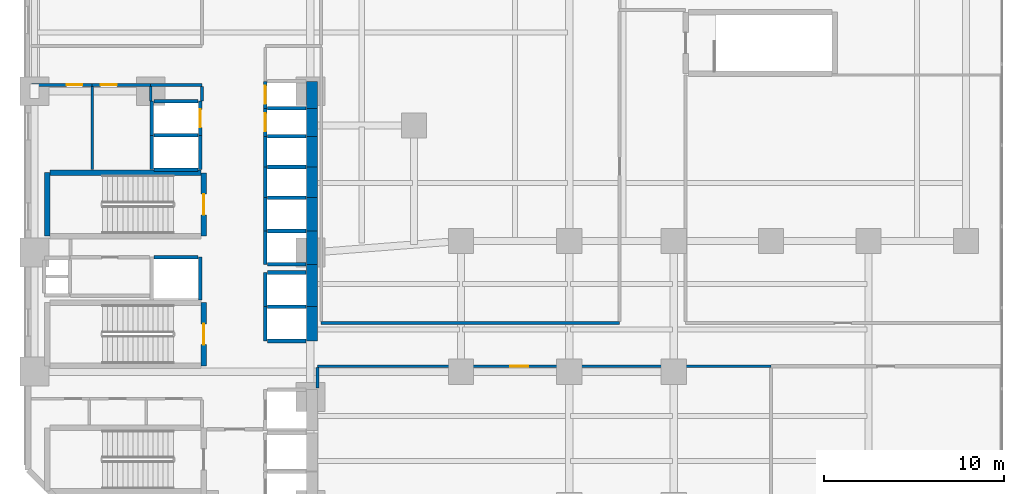
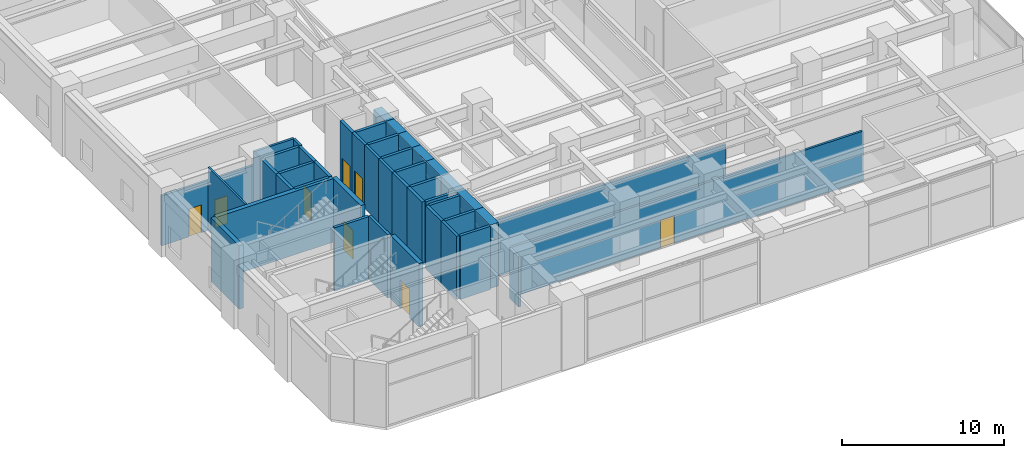
# One storey, part 23 of 29: 47 walls, 8 doors, 8 openings.
"""IFC4 building model written with IfcOpenShell, lengths in metres."""

from ifc_helpers import new_model, si_unit, direction, frame, frame_2d, origin, place, context, subcontext, project, spatial, rectangle, extrude, material, layer, layer_set, type_object, element, fill, save


model = new_model("IFC4")

# Units and contexts
model_context = context("Model", 3, precision=1e-05, world=origin(), true_north=direction((0.0, 1.0)))
body_context = subcontext(model_context, "Body", "Model", "MODEL_VIEW")
ifc_project = project(units=[si_unit("LENGTHUNIT", "METRE"), si_unit("AREAUNIT", "SQUARE_METRE"), si_unit("VOLUMEUNIT", "CUBIC_METRE"), si_unit("PLANEANGLEUNIT", "RADIAN"), si_unit("MASSUNIT", "GRAM", prefix="KILO")], contexts=[model_context])

# Site, building, storey
site_placement = place(None, origin())
site = spatial("IfcSite", under=ifc_project, at=site_placement, CompositionType="ELEMENT")
building_placement = place(site_placement, origin())
building = spatial("IfcBuilding", under=site, at=building_placement, Name="Mawjaban Terraces University", CompositionType="ELEMENT")
storey_placement = place(building_placement, frame((0.0, 0.0, 20.800048828125)))
storey = spatial("IfcBuildingStorey", under=building, at=storey_placement, Name="L04", CompositionType="ELEMENT", Elevation=20.800048828125)

# Walls
ifc_material_1 = material(Name="Concrete C70/85", Category="concrete")
ifc_layer_1 = layer(ifc_material_1, 0.60009765625)
ifc_layer_set_1 = layer_set([ifc_layer_1], Name="Concrete C70/85")
wall_type_1 = type_object("IfcWallType", Name="CoreShearWall_600", PredefinedType="SHEAR", material=ifc_layer_set_1)
wall_1_placement = place(storey_placement, frame((37.75, 9.64990234375, 0.0), z_axis=(0.0, 0.0, 1.0), x_axis=(0.0, 1.0, 0.0)))
element("IfcWall", 1, at=wall_1_placement, inside=storey, type_object=wall_type_1, Name="L04 Lift PL-H1 Hoistway Wall East", PredefinedType="SHEAR", context=body_context, shape_type="SweptSolid", body=[
    extrude(rectangle(XDim=1.900146484375, YDim=0.60009765625, at=frame_2d((0.9501953125, 0.0))), origin(), (0.0, 0.0, 1.0), 4.780029296875),
])
wall_2_placement = place(storey_placement, frame((37.75, 11.550048828125, 0.0), z_axis=(0.0, 0.0, 1.0), x_axis=(0.0, 1.0, 0.0)))
element("IfcWall", 2, at=wall_2_placement, inside=storey, type_object=wall_type_1, Name="L04 Lift PL-H2 Hoistway Wall East", PredefinedType="SHEAR", context=body_context, shape_type="SweptSolid", body=[
    extrude(rectangle(XDim=2.349853515625, YDim=0.60009765625, at=frame_2d((1.1748046875, 0.0))), origin(), (0.0, 0.0, 1.0), 4.780029296875),
])
for number, where, z_axis, x_axis, name in (
    (3, (37.75, 13.89990234375, 0.0), (0.0, 0.0, 1.0), (0.0, 1.0, 0.0), "L04 Lift OL-1 Hoistway Wall East"),
    (4, (37.75, 15.75, 0.0), (0.0, 0.0, 1.0), (0.0, 1.0, 0.0), "L04 Lift OL-2 Hoistway Wall East"),
):
    element("IfcWall", number, at=place(storey_placement, frame(where, z_axis=z_axis, x_axis=x_axis)), inside=storey, type_object=wall_type_1, Name=name, PredefinedType="SHEAR", context=body_context, shape_type="SweptSolid", body=[
        extrude(rectangle(XDim=1.85009765625, YDim=0.60009765625, at=frame_2d((0.925048828125, 0.0))), origin(), (0.0, 0.0, 1.0), 4.780029296875),
    ])
for number, where, z_axis, x_axis, name in (
    (5, (37.75, 17.60009765625, 0.0), (0.0, 0.0, 1.0), (0.0, 1.0, 0.0), "L04 Lift PL-M1 Hoistway Wall East"),
    (6, (37.75, 19.300048828125, 0.0), (0.0, 0.0, 1.0), (0.0, 1.0, 0.0), "L04 Lift PL-M2 Hoistway Wall East"),
):
    element("IfcWall", number, at=place(storey_placement, frame(where, z_axis=z_axis, x_axis=x_axis)), inside=storey, type_object=wall_type_1, Name=name, PredefinedType="SHEAR", context=body_context, shape_type="SweptSolid", body=[
        extrude(rectangle(XDim=1.699951171875, YDim=0.60009765625, at=frame_2d((0.85009765625, 0.0))), origin(), (0.0, 0.0, 1.0), 4.780029296875),
    ])
wall_3_placement = place(storey_placement, frame((37.75, 21.0, 0.0), z_axis=(0.0, 0.0, 1.0), x_axis=(0.0, 1.0, 0.0)))
element("IfcWall", 7, at=wall_3_placement, inside=storey, type_object=wall_type_1, Name="L04 Lift PL-L1 Hoistway Wall East", PredefinedType="SHEAR", context=body_context, shape_type="SweptSolid", body=[
    extrude(rectangle(XDim=1.550048828125, YDim=0.60009765625, at=frame_2d((0.77490234375, 0.0))), origin(), (0.0, 0.0, 1.0), 4.780029296875),
])
wall_4_placement = place(storey_placement, frame((37.75, 22.550048828125, 0.0), z_axis=(0.0, 0.0, 1.0), x_axis=(0.0, 1.0, 0.0)))
element("IfcWall", 8, at=wall_4_placement, inside=storey, type_object=wall_type_1, Name="L04 Lift PL-L2 Hoistway Wall East", PredefinedType="SHEAR", context=body_context, shape_type="SweptSolid", body=[
    extrude(rectangle(XDim=1.5, YDim=0.60009765625, at=frame_2d((0.75, 0.0))), origin(), (0.0, 0.0, 1.0), 4.780029296875),
])

# Wall, opening, door
ifc_material_2 = material(Name="Fire-rated gypsum board on steel stud", Category="steel")
ifc_layer_2 = layer(ifc_material_2, 0.159912109375)
ifc_layer_set_2 = layer_set([ifc_layer_2], Name="Fire-rated gypsum board on steel stud")
wall_type_2 = type_object("IfcWallType", Name="CorridorPartition_160", PredefinedType="PARTITIONING", material=ifc_layer_set_2)
wall_5_placement = place(storey_placement, frame((25.550048828125, 23.85009765625, 0.0), z_axis=(0.0, 0.0, 1.0), x_axis=(-1.0, 0.0, 0.0)))
wall_5 = element("IfcWall", 9, at=wall_5_placement, inside=storey, type_object=wall_type_2, Name="L04 Ablution Room Partition 5", PredefinedType="PARTITIONING", context=body_context, shape_type="SweptSolid", body=[
    extrude(rectangle(XDim=3.35009765625, YDim=0.159912109375, at=frame_2d((1.675048828125, 0.0))), origin(), (0.0, 0.0, 1.0), 3.76806640625),
])
opening_1_placement = place(wall_5_placement, frame((0.534912109375, 0.0, 0.0)))
opening_1 = element("IfcOpeningElement", 10, at=opening_1_placement, cuts=wall_5, Name="Opening ID-088", PredefinedType="OPENING", context=body_context, shape_type="SweptSolid", body=[
    extrude(rectangle(XDim=0.8798828125, YDim=2.10009765625, at=frame_2d((0.43994140625, 1.050048828125))), frame((0.0, 0.08984375, 0.0), z_axis=(0.0, -1.0, 0.0), x_axis=(1.0, 0.0, 0.0)), (0.0, 0.0, 1.0), 0.179931640625),
])
ifc_material_3 = material(Name="Powder-coated steel frame and solid acoustic timber leaf", Category="steel")
door_type_1 = type_object("IfcDoorType", Name="ToiletDoor_880x2100", OperationType="NOTDEFINED", PredefinedType="DOOR", material=ifc_material_3)
door_1_placement = place(opening_1_placement, origin())
door_1 = element("IfcDoor", 11, at=door_1_placement, inside=storey, type_object=door_type_1, Name="L04 Ablution Room Door", OperationType="SINGLE_SWING_LEFT", OverallHeight=2.10009765625, OverallWidth=0.8798828125, PredefinedType="DOOR", context=body_context, shape_type="SweptSolid", body=[
    extrude(rectangle(XDim=0.8798828125, YDim=2.10009765625, at=frame_2d((0.43994140625, 1.050048828125))), frame((0.0, 0.02490234375, 0.0), z_axis=(0.0, -1.0, 0.0), x_axis=(1.0, 0.0, 0.0)), (0.0, 0.0, 1.0), 0.050048828125),
])
fill(opening_1, door_1)

wall_6_placement = place(storey_placement, frame((28.800048828125, 23.85009765625, 0.0), z_axis=(0.0, 0.0, 1.0), x_axis=(-1.0, 0.0, 0.0)))
wall_6 = element("IfcWall", 12, at=wall_6_placement, inside=storey, type_object=wall_type_2, Name="L04 Cleaner Store Partition 7", PredefinedType="PARTITIONING", context=body_context, shape_type="SweptSolid", body=[
    extrude(rectangle(XDim=3.25, YDim=0.159912109375, at=frame_2d((1.625, 0.0))), origin(), (0.0, 0.0, 1.0), 3.76806640625),
])
opening_2_placement = place(wall_6_placement, frame((1.875, 0.0, 0.0)))
opening_2 = element("IfcOpeningElement", 13, at=opening_2_placement, cuts=wall_6, Name="Opening ID-090", PredefinedType="OPENING", context=body_context, shape_type="SweptSolid", body=[
    extrude(rectangle(XDim=0.89990234375, YDim=2.10009765625, at=frame_2d((0.449951171875, 1.050048828125))), frame((0.0, 0.08984375, 0.0), z_axis=(0.0, -1.0, 0.0), x_axis=(1.0, 0.0, 0.0)), (0.0, 0.0, 1.0), 0.179931640625),
])
door_type_2 = type_object("IfcDoorType", Name="OfficeDoor_900x2100", OperationType="NOTDEFINED", PredefinedType="DOOR", material=ifc_material_3)
door_2_placement = place(opening_2_placement, origin())
door_2 = element("IfcDoor", 14, at=door_2_placement, inside=storey, type_object=door_type_2, Name="L04 Cleaner Store Door", OperationType="SINGLE_SWING_RIGHT", OverallHeight=2.10009765625, OverallWidth=0.89990234375, PredefinedType="DOOR", context=body_context, shape_type="SweptSolid", body=[
    extrude(rectangle(XDim=0.89990234375, YDim=2.10009765625, at=frame_2d((0.449951171875, 1.050048828125))), frame((0.0, 0.02490234375, 0.0), z_axis=(0.0, -1.0, 0.0), x_axis=(1.0, 0.0, 0.0)), (0.0, 0.0, 1.0), 0.050048828125),
])
fill(opening_2, door_2)

# Wall
wall_7_placement = place(storey_placement, frame((28.800048828125, 23.85009765625, 0.0), z_axis=(0.0, 0.0, 1.0), x_axis=(1.0, 0.0, 0.0)))
element("IfcWall", 15, at=wall_7_placement, inside=storey, type_object=wall_type_2, Name="L04 North Core Cross-Corridor Partition 8", PredefinedType="PARTITIONING", context=body_context, shape_type="SweptSolid", body=[
    extrude(rectangle(XDim=2.849853515625, YDim=0.159912109375, at=frame_2d((1.4248046875, 0.0))), origin(), (0.0, 0.0, 1.0), 4.780029296875),
])

# Wall, opening, door
wall_8_placement = place(storey_placement, frame((38.050048828125, 8.25, 0.0), z_axis=(0.0, 0.0, 1.0), x_axis=(1.0, 0.0, 0.0)))
wall_8 = element("IfcWall", 16, at=wall_8_placement, inside=storey, type_object=wall_type_2, Name="L04 Podium Academic Gallery Corridor Partition 14", PredefinedType="PARTITIONING", context=body_context, shape_type="SweptSolid", body=[
    extrude(rectangle(XDim=25.14990234375, YDim=0.159912109375, at=frame_2d((12.574951171875, 0.0))), origin(), (0.0, 0.0, 1.0), 3.76806640625),
])
opening_3_placement = place(wall_8_placement, frame((10.675048828125, 0.0, 0.0)))
opening_3 = element("IfcOpeningElement", 17, at=opening_3_placement, cuts=wall_8, Name="Opening ID-100", PredefinedType="OPENING", context=body_context, shape_type="SweptSolid", body=[
    extrude(rectangle(XDim=1.0, YDim=2.10009765625, at=frame_2d((0.5, 1.050048828125))), frame((0.0, 0.08984375, 0.0), z_axis=(0.0, -1.0, 0.0), x_axis=(1.0, 0.0, 0.0)), (0.0, 0.0, 1.0), 0.179931640625),
])
door_type_3 = type_object("IfcDoorType", Name="ClassroomDoor_1000x2100", OperationType="NOTDEFINED", PredefinedType="DOOR", material=ifc_material_3)
door_3_placement = place(opening_3_placement, origin())
door_3 = element("IfcDoor", 18, at=door_3_placement, inside=storey, type_object=door_type_3, Name="L04 Foundation Seminar Classroom Door", OperationType="SINGLE_SWING_LEFT", OverallHeight=2.10009765625, OverallWidth=1.0, PredefinedType="DOOR", context=body_context, shape_type="SweptSolid", body=[
    extrude(rectangle(XDim=1.0, YDim=2.10009765625, at=frame_2d((0.5, 1.050048828125))), frame((0.0, 0.02490234375, 0.0), z_axis=(0.0, -1.0, 0.0), x_axis=(1.0, 0.0, 0.0)), (0.0, 0.0, 1.0), 0.050048828125),
])
fill(opening_3, door_3)

# Walls
wall_9_placement = place(storey_placement, frame((54.800048828125, 10.64990234375, 0.0), z_axis=(0.0, 0.0, 1.0), x_axis=(-1.0, 0.0, 0.0)))
element("IfcWall", 19, at=wall_9_placement, inside=storey, type_object=wall_type_2, Name="L04 Podium Academic Gallery Corridor Partition 18", PredefinedType="PARTITIONING", context=body_context, shape_type="SweptSolid", body=[
    extrude(rectangle(XDim=16.550048828125, YDim=0.159912109375, at=frame_2d((8.27490234375, 0.0))), origin(), (0.0, 0.0, 1.0), 4.22900390625),
])
wall_10_placement = place(storey_placement, frame((31.64990234375, 23.77490234375, 0.0), z_axis=(0.0, 0.0, 1.0), x_axis=(0.0, -1.0, 0.0)))
element("IfcWall", 20, at=wall_10_placement, inside=storey, type_object=wall_type_2, Name="L04 Passenger Lift Lobby Partition 29", PredefinedType="PARTITIONING", context=body_context, shape_type="SweptSolid", body=[
    extrude(rectangle(XDim=0.824951171875, YDim=0.159912109375, at=frame_2d((0.41259765625, 0.0))), origin(), (0.0, 0.0, 1.0), 4.780029296875),
])
wall_11_placement = place(storey_placement, frame((38.050048828125, 7.050048828125, 0.0), z_axis=(0.0, 0.0, 1.0), x_axis=(0.0, 1.0, 0.0)))
element("IfcWall", 21, at=wall_11_placement, inside=storey, type_object=wall_type_2, Name="L04 Core Stair and Lift Lobby East Partition 33", PredefinedType="PARTITIONING", context=body_context, shape_type="SweptSolid", body=[
    extrude(rectangle(XDim=1.125, YDim=0.159912109375, at=frame_2d((0.5625, 0.0))), origin(), (0.0, 0.0, 1.0), 3.76806640625),
])
ifc_material_4 = material(Name="Concrete C40/50", Category="concrete")
ifc_layer_3 = layer(ifc_material_4, 0.199951171875)
ifc_layer_set_3 = layer_set([ifc_layer_3], Name="Concrete C40/50")
wall_type_3 = type_object("IfcWallType", Name="FireLobbyWall_200", PredefinedType="SOLIDWALL", material=ifc_layer_set_3)
wall_12_placement = place(storey_placement, frame((35.14990234375, 11.550048828125, 0.0), z_axis=(0.0, 0.0, 1.0), x_axis=(0.0, -1.0, 0.0)))
element("IfcWall", 22, at=wall_12_placement, inside=storey, type_object=wall_type_3, Name="L04 Lift PL-H1 Hoistway Wall West", PredefinedType="SOLIDWALL", context=body_context, shape_type="SweptSolid", body=[
    extrude(rectangle(XDim=1.900146484375, YDim=0.199951171875, at=frame_2d((0.9501953125, 0.0))), origin(), (0.0, 0.0, 1.0), 4.780029296875),
])
for number, where, z_axis, x_axis, name in (
    (23, (35.280029296875, 9.64990234375, 0.0), (0.0, 0.0, 1.0), (1.0, 0.0, 0.0), "L04 Lift PL-H1 Hoistway Wall South"),
    (24, (37.419921875, 11.550048828125, 0.0), (0.0, 0.0, 1.0), (-1.0, 0.0, 0.0), "L04 Lift PL-H1 Hoistway Wall North"),
):
    element("IfcWall", number, at=place(storey_placement, frame(where, z_axis=z_axis, x_axis=x_axis)), inside=storey, type_object=wall_type_3, Name=name, PredefinedType="SOLIDWALL", context=body_context, shape_type="SweptSolid", body=[
        extrude(rectangle(XDim=2.139892578125, YDim=0.199951171875, at=frame_2d((1.06982421875, 0.0))), origin(), (0.0, 0.0, 1.0), 4.780029296875),
    ])
wall_13_placement = place(storey_placement, frame((35.14990234375, 13.449951171875, 0.0), z_axis=(0.0, 0.0, 1.0), x_axis=(0.0, -1.0, 0.0)))
element("IfcWall", 25, at=wall_13_placement, inside=storey, type_object=wall_type_3, Name="L04 Lift PL-H2 Hoistway Wall West", PredefinedType="SOLIDWALL", context=body_context, shape_type="SweptSolid", body=[
    extrude(rectangle(XDim=1.89990234375, YDim=0.199951171875, at=frame_2d((0.949951171875, 0.0))), origin(), (0.0, 0.0, 1.0), 4.780029296875),
])
wall_14_placement = place(storey_placement, frame((37.419921875, 13.449951171875, 0.0), z_axis=(0.0, 0.0, 1.0), x_axis=(-1.0, 0.0, 0.0)))
element("IfcWall", 26, at=wall_14_placement, inside=storey, type_object=wall_type_3, Name="L04 Lift PL-H2 Hoistway Wall North", PredefinedType="SOLIDWALL", context=body_context, shape_type="SweptSolid", body=[
    extrude(rectangle(XDim=2.139892578125, YDim=0.199951171875, at=frame_2d((1.06982421875, 0.0))), origin(), (0.0, 0.0, 1.0), 4.780029296875),
])
wall_15_placement = place(storey_placement, frame((31.550048828125, 11.929931640625, 0.0), z_axis=(0.0, 0.0, 1.0), x_axis=(0.0, 1.0, 0.0)))
element("IfcWall", 27, at=wall_15_placement, inside=storey, type_object=wall_type_3, Name="L04 Lift PL-H3 Hoistway Wall East", PredefinedType="SOLIDWALL", context=body_context, shape_type="SweptSolid", body=[
    extrude(rectangle(XDim=2.3701171875, YDim=0.199951171875, at=frame_2d((1.18505859375, 0.0))), origin(), (0.0, 0.0, 1.0), 4.780029296875),
])
wall_16_placement = place(storey_placement, frame((31.419921875, 14.300048828125, 0.0), z_axis=(0.0, 0.0, 1.0), x_axis=(-1.0, 0.0, 0.0)))
element("IfcWall", 28, at=wall_16_placement, inside=storey, type_object=wall_type_3, Name="L04 Lift PL-H3 Hoistway Wall North", PredefinedType="SOLIDWALL", context=body_context, shape_type="SweptSolid", body=[
    extrude(rectangle(XDim=2.43994140625, YDim=0.199951171875, at=frame_2d((1.219970703125, 0.0))), origin(), (0.0, 0.0, 1.0), 4.780029296875),
])
wall_17_placement = place(storey_placement, frame((35.14990234375, 15.75, 0.0), z_axis=(0.0, 0.0, 1.0), x_axis=(0.0, -1.0, 0.0)))
element("IfcWall", 29, at=wall_17_placement, inside=storey, type_object=wall_type_3, Name="L04 Lift OL-1 Hoistway Wall West", PredefinedType="SOLIDWALL", context=body_context, shape_type="SweptSolid", body=[
    extrude(rectangle(XDim=1.85009765625, YDim=0.199951171875, at=frame_2d((0.925048828125, 0.0))), origin(), (0.0, 0.0, 1.0), 4.780029296875),
])
for number, where, z_axis, x_axis, name in (
    (30, (35.280029296875, 13.89990234375, 0.0), (0.0, 0.0, 1.0), (1.0, 0.0, 0.0), "L04 Lift OL-1 Hoistway Wall South"),
    (31, (37.419921875, 15.75, 0.0), (0.0, 0.0, 1.0), (-1.0, 0.0, 0.0), "L04 Lift OL-1 Hoistway Wall North"),
):
    element("IfcWall", number, at=place(storey_placement, frame(where, z_axis=z_axis, x_axis=x_axis)), inside=storey, type_object=wall_type_3, Name=name, PredefinedType="SOLIDWALL", context=body_context, shape_type="SweptSolid", body=[
        extrude(rectangle(XDim=2.139892578125, YDim=0.199951171875, at=frame_2d((1.06982421875, 0.0))), origin(), (0.0, 0.0, 1.0), 4.780029296875),
    ])
wall_18_placement = place(storey_placement, frame((35.14990234375, 17.60009765625, 0.0), z_axis=(0.0, 0.0, 1.0), x_axis=(0.0, -1.0, 0.0)))
element("IfcWall", 32, at=wall_18_placement, inside=storey, type_object=wall_type_3, Name="L04 Lift OL-2 Hoistway Wall West", PredefinedType="SOLIDWALL", context=body_context, shape_type="SweptSolid", body=[
    extrude(rectangle(XDim=1.85009765625, YDim=0.199951171875, at=frame_2d((0.925048828125, 0.0))), origin(), (0.0, 0.0, 1.0), 4.780029296875),
])
wall_19_placement = place(storey_placement, frame((37.419921875, 17.60009765625, 0.0), z_axis=(0.0, 0.0, 1.0), x_axis=(-1.0, 0.0, 0.0)))
element("IfcWall", 33, at=wall_19_placement, inside=storey, type_object=wall_type_3, Name="L04 Lift OL-2 Hoistway Wall North", PredefinedType="SOLIDWALL", context=body_context, shape_type="SweptSolid", body=[
    extrude(rectangle(XDim=2.139892578125, YDim=0.199951171875, at=frame_2d((1.06982421875, 0.0))), origin(), (0.0, 0.0, 1.0), 4.780029296875),
])
wall_20_placement = place(storey_placement, frame((35.14990234375, 19.300048828125, 0.0), z_axis=(0.0, 0.0, 1.0), x_axis=(0.0, -1.0, 0.0)))
element("IfcWall", 34, at=wall_20_placement, inside=storey, type_object=wall_type_3, Name="L04 Lift PL-M1 Hoistway Wall West", PredefinedType="SOLIDWALL", context=body_context, shape_type="SweptSolid", body=[
    extrude(rectangle(XDim=1.699951171875, YDim=0.199951171875, at=frame_2d((0.85009765625, 0.0))), origin(), (0.0, 0.0, 1.0), 4.780029296875),
])
wall_21_placement = place(storey_placement, frame((37.419921875, 19.300048828125, 0.0), z_axis=(0.0, 0.0, 1.0), x_axis=(-1.0, 0.0, 0.0)))
element("IfcWall", 35, at=wall_21_placement, inside=storey, type_object=wall_type_3, Name="L04 Lift PL-M1 Hoistway Wall North", PredefinedType="SOLIDWALL", context=body_context, shape_type="SweptSolid", body=[
    extrude(rectangle(XDim=2.139892578125, YDim=0.199951171875, at=frame_2d((1.06982421875, 0.0))), origin(), (0.0, 0.0, 1.0), 4.780029296875),
])
wall_22_placement = place(storey_placement, frame((35.14990234375, 21.0, 0.0), z_axis=(0.0, 0.0, 1.0), x_axis=(0.0, -1.0, 0.0)))
element("IfcWall", 36, at=wall_22_placement, inside=storey, type_object=wall_type_3, Name="L04 Lift PL-M2 Hoistway Wall West", PredefinedType="SOLIDWALL", context=body_context, shape_type="SweptSolid", body=[
    extrude(rectangle(XDim=1.699951171875, YDim=0.199951171875, at=frame_2d((0.85009765625, 0.0))), origin(), (0.0, 0.0, 1.0), 4.780029296875),
])
wall_23_placement = place(storey_placement, frame((37.419921875, 21.0, 0.0), z_axis=(0.0, 0.0, 1.0), x_axis=(-1.0, 0.0, 0.0)))
element("IfcWall", 37, at=wall_23_placement, inside=storey, type_object=wall_type_3, Name="L04 Lift PL-M2 Hoistway Wall North", PredefinedType="SOLIDWALL", context=body_context, shape_type="SweptSolid", body=[
    extrude(rectangle(XDim=2.139892578125, YDim=0.199951171875, at=frame_2d((1.06982421875, 0.0))), origin(), (0.0, 0.0, 1.0), 4.780029296875),
])
for number, where, z_axis, x_axis, name in (
    (38, (28.85009765625, 21.050048828125, 0.0), (0.0, 0.0, 1.0), (0.0, -1.0, 0.0), "L04 Lift PL-M3 Hoistway Wall West"),
    (39, (31.550048828125, 19.14990234375, 0.0), (0.0, 0.0, 1.0), (0.0, 1.0, 0.0), "L04 Lift PL-M3 Hoistway Wall East"),
):
    element("IfcWall", number, at=place(storey_placement, frame(where, z_axis=z_axis, x_axis=x_axis)), inside=storey, type_object=wall_type_3, Name=name, PredefinedType="SOLIDWALL", context=body_context, shape_type="SweptSolid", body=[
        extrude(rectangle(XDim=1.900146484375, YDim=0.199951171875, at=frame_2d((0.9501953125, 0.0))), origin(), (0.0, 0.0, 1.0), 4.780029296875),
    ])
for number, where, z_axis, x_axis, name in (
    (40, (28.97998046875, 19.14990234375, 0.0), (0.0, 0.0, 1.0), (1.0, 0.0, 0.0), "L04 Lift PL-M3 Hoistway Wall South"),
    (41, (31.419921875, 21.050048828125, 0.0), (0.0, 0.0, 1.0), (-1.0, 0.0, 0.0), "L04 Lift PL-M3 Hoistway Wall North"),
):
    element("IfcWall", number, at=place(storey_placement, frame(where, z_axis=z_axis, x_axis=x_axis)), inside=storey, type_object=wall_type_3, Name=name, PredefinedType="SOLIDWALL", context=body_context, shape_type="SweptSolid", body=[
        extrude(rectangle(XDim=2.43994140625, YDim=0.199951171875, at=frame_2d((1.219970703125, 0.0))), origin(), (0.0, 0.0, 1.0), 4.780029296875),
    ])

# Wall, opening, door
wall_24_placement = place(storey_placement, frame((35.14990234375, 22.550048828125, 0.0), z_axis=(0.0, 0.0, 1.0), x_axis=(0.0, -1.0, 0.0)))
wall_24 = element("IfcWall", 42, at=wall_24_placement, inside=storey, type_object=wall_type_3, Name="L04 Lift PL-L1 Hoistway Wall West", PredefinedType="SOLIDWALL", context=body_context, shape_type="SweptSolid", body=[
    extrude(rectangle(XDim=1.550048828125, YDim=0.199951171875, at=frame_2d((0.77490234375, 0.0))), origin(), (0.0, 0.0, 1.0), 4.780029296875),
])
opening_4_placement = place(wall_24_placement, frame((0.27490234375, 0.0, 0.0)))
opening_4 = element("IfcOpeningElement", 43, at=opening_4_placement, cuts=wall_24, Name="Opening LD-PL-L1", PredefinedType="OPENING", context=body_context, shape_type="SweptSolid", body=[
    extrude(rectangle(XDim=1.0, YDim=2.10009765625, at=frame_2d((0.5, 1.050048828125))), frame((0.0, 0.10986328125, 0.0), z_axis=(0.0, -1.0, 0.0), x_axis=(1.0, 0.0, 0.0)), (0.0, 0.0, 1.0), 0.219970703125),
])
ifc_material_5 = material(Name="Powder-coated steel frame and fire-rated steel-faced leaf", Category="steel")
door_type_4 = type_object("IfcDoorType", Name="LiftLandingSliding_1000x2100", OperationType="NOTDEFINED", PredefinedType="DOOR", material=ifc_material_5)
door_4_placement = place(opening_4_placement, origin())
door_4 = element("IfcDoor", 44, at=door_4_placement, inside=storey, type_object=door_type_4, Name="L04 Lift PL-L1 Sliding Landing Door", OperationType="DOUBLE_DOOR_SLIDING", OverallHeight=2.10009765625, OverallWidth=1.0, PredefinedType="DOOR", context=body_context, shape_type="SweptSolid", body=[
    extrude(rectangle(XDim=1.0, YDim=2.10009765625, at=frame_2d((0.5, 1.050048828125))), frame((0.0, 0.02490234375, 0.0), z_axis=(0.0, -1.0, 0.0), x_axis=(1.0, 0.0, 0.0)), (0.0, 0.0, 1.0), 0.050048828125),
])
fill(opening_4, door_4)

# Wall
wall_25_placement = place(storey_placement, frame((37.419921875, 22.550048828125, 0.0), z_axis=(0.0, 0.0, 1.0), x_axis=(-1.0, 0.0, 0.0)))
element("IfcWall", 45, at=wall_25_placement, inside=storey, type_object=wall_type_3, Name="L04 Lift PL-L1 Hoistway Wall North", PredefinedType="SOLIDWALL", context=body_context, shape_type="SweptSolid", body=[
    extrude(rectangle(XDim=2.139892578125, YDim=0.199951171875, at=frame_2d((1.06982421875, 0.0))), origin(), (0.0, 0.0, 1.0), 4.780029296875),
])

# Wall, opening, door
wall_26_placement = place(storey_placement, frame((35.14990234375, 24.050048828125, 0.0), z_axis=(0.0, 0.0, 1.0), x_axis=(0.0, -1.0, 0.0)))
wall_26 = element("IfcWall", 46, at=wall_26_placement, inside=storey, type_object=wall_type_3, Name="L04 Lift PL-L2 Hoistway Wall West", PredefinedType="SOLIDWALL", context=body_context, shape_type="SweptSolid", body=[
    extrude(rectangle(XDim=1.5, YDim=0.199951171875, at=frame_2d((0.75, 0.0))), origin(), (0.0, 0.0, 1.0), 4.780029296875),
])
opening_5_placement = place(wall_26_placement, frame((0.25, 0.0, 0.0)))
opening_5 = element("IfcOpeningElement", 47, at=opening_5_placement, cuts=wall_26, Name="Opening LD-PL-L2", PredefinedType="OPENING", context=body_context, shape_type="SweptSolid", body=[
    extrude(rectangle(XDim=1.0, YDim=2.10009765625, at=frame_2d((0.5, 1.050048828125))), frame((0.0, 0.10986328125, 0.0), z_axis=(0.0, -1.0, 0.0), x_axis=(1.0, 0.0, 0.0)), (0.0, 0.0, 1.0), 0.219970703125),
])
door_5_placement = place(opening_5_placement, origin())
door_5 = element("IfcDoor", 48, at=door_5_placement, inside=storey, type_object=door_type_4, Name="L04 Lift PL-L2 Sliding Landing Door", OperationType="DOUBLE_DOOR_SLIDING", OverallHeight=2.10009765625, OverallWidth=1.0, PredefinedType="DOOR", context=body_context, shape_type="SweptSolid", body=[
    extrude(rectangle(XDim=1.0, YDim=2.10009765625, at=frame_2d((0.5, 1.050048828125))), frame((0.0, 0.02490234375, 0.0), z_axis=(0.0, -1.0, 0.0), x_axis=(1.0, 0.0, 0.0)), (0.0, 0.0, 1.0), 0.050048828125),
])
fill(opening_5, door_5)

# Wall
wall_27_placement = place(storey_placement, frame((28.85009765625, 22.949951171875, 0.0), z_axis=(0.0, 0.0, 1.0), x_axis=(0.0, -1.0, 0.0)))
element("IfcWall", 49, at=wall_27_placement, inside=storey, type_object=wall_type_3, Name="L04 Lift PL-L3 Hoistway Wall West", PredefinedType="SOLIDWALL", context=body_context, shape_type="SweptSolid", body=[
    extrude(rectangle(XDim=1.89990234375, YDim=0.199951171875, at=frame_2d((0.949951171875, 0.0))), origin(), (0.0, 0.0, 1.0), 4.780029296875),
])

# Wall, opening, door
wall_28_placement = place(storey_placement, frame((31.550048828125, 21.050048828125, 0.0), z_axis=(0.0, 0.0, 1.0), x_axis=(0.0, 1.0, 0.0)))
wall_28 = element("IfcWall", 50, at=wall_28_placement, inside=storey, type_object=wall_type_3, Name="L04 Lift PL-L3 Hoistway Wall East", PredefinedType="SOLIDWALL", context=body_context, shape_type="SweptSolid", body=[
    extrude(rectangle(XDim=1.89990234375, YDim=0.199951171875, at=frame_2d((0.949951171875, 0.0))), origin(), (0.0, 0.0, 1.0), 4.780029296875),
])
opening_6_placement = place(wall_28_placement, frame((0.449951171875, 0.0, 0.0)))
opening_6 = element("IfcOpeningElement", 51, at=opening_6_placement, cuts=wall_28, Name="Opening LD-PL-L3", PredefinedType="OPENING", context=body_context, shape_type="SweptSolid", body=[
    extrude(rectangle(XDim=1.0, YDim=2.10009765625, at=frame_2d((0.5, 1.050048828125))), frame((0.0, 0.10986328125, 0.0), z_axis=(0.0, -1.0, 0.0), x_axis=(1.0, 0.0, 0.0)), (0.0, 0.0, 1.0), 0.219970703125),
])
door_6_placement = place(opening_6_placement, origin())
door_6 = element("IfcDoor", 52, at=door_6_placement, inside=storey, type_object=door_type_4, Name="L04 Lift PL-L3 Sliding Landing Door", OperationType="DOUBLE_DOOR_SLIDING", OverallHeight=2.10009765625, OverallWidth=1.0, PredefinedType="DOOR", context=body_context, shape_type="SweptSolid", body=[
    extrude(rectangle(XDim=1.0, YDim=2.10009765625, at=frame_2d((0.5, 1.050048828125))), frame((0.0, 0.02490234375, 0.0), z_axis=(0.0, -1.0, 0.0), x_axis=(1.0, 0.0, 0.0)), (0.0, 0.0, 1.0), 0.050048828125),
])
fill(opening_6, door_6)

# Walls
wall_29_placement = place(storey_placement, frame((31.429931640625, 22.949951171875, 0.0), z_axis=(0.0, 0.0, 1.0), x_axis=(-1.0, 0.0, 0.0)))
element("IfcWall", 53, at=wall_29_placement, inside=storey, type_object=wall_type_3, Name="L04 Lift PL-L3 Hoistway Wall North", PredefinedType="SOLIDWALL", context=body_context, shape_type="SweptSolid", body=[
    extrude(rectangle(XDim=2.4599609375, YDim=0.199951171875, at=frame_2d((1.22998046875, 0.0))), origin(), (0.0, 0.0, 1.0), 4.780029296875),
])
ifc_material_6 = material(Name="Gypsum plasterboard on steel stud", Category="steel")
ifc_layer_4 = layer(ifc_material_6, 0.125)
ifc_layer_set_4 = layer_set([ifc_layer_4], Name="Gypsum plasterboard on steel stud")
wall_type_4 = type_object("IfcWallType", Name="OfficePartition_125", PredefinedType="PARTITIONING", material=ifc_layer_set_4)
wall_30_placement = place(storey_placement, frame((28.800048828125, 22.949951171875, 0.0), z_axis=(0.0, 0.0, 1.0), x_axis=(0.0, 1.0, 0.0)))
element("IfcWall", 54, at=wall_30_placement, inside=storey, type_object=wall_type_4, Name="L04 Cleaner Store Partition 27", PredefinedType="PARTITIONING", context=body_context, shape_type="SweptSolid", body=[
    extrude(rectangle(XDim=0.824951171875, YDim=0.125, at=frame_2d((0.41259765625, 0.0))), origin(), (0.0, 0.0, 1.0), 4.780029296875),
])
ifc_material_7 = material(Name="Concrete C60/75", Category="concrete")
ifc_layer_5 = layer(ifc_material_7, 0.300048828125)
ifc_layer_set_5 = layer_set([ifc_layer_5], Name="Concrete C60/75")
wall_type_5 = type_object("IfcWallType", Name="StairShaftWall_300", PredefinedType="SHEAR", material=ifc_layer_set_5)
wall_31_placement = place(storey_placement, frame((31.580078125, 18.97998046875, 0.0), z_axis=(0.0, 0.0, 1.0), x_axis=(-1.0, 0.0, 0.0)))
element("IfcWall", 55, at=wall_31_placement, inside=storey, type_object=wall_type_5, Name="L04 ST-2 Stair Shaft Wall 1", PredefinedType="SHEAR", context=body_context, shape_type="SweptSolid", body=[
    extrude(rectangle(XDim=8.360107421875, YDim=0.300048828125, at=frame_2d((4.18017578125, 0.0))), origin(), (0.0, 0.0, 1.0), 4.780029296875),
])
wall_32_placement = place(storey_placement, frame((23.070068359375, 18.97998046875, 0.0), z_axis=(0.0, 0.0, 1.0), x_axis=(0.0, -1.0, 0.0)))
element("IfcWall", 56, at=wall_32_placement, inside=storey, type_object=wall_type_5, Name="L04 ST-2 Stair Shaft Wall 2", PredefinedType="SHEAR", context=body_context, shape_type="SweptSolid", body=[
    extrude(rectangle(XDim=3.510009765625, YDim=0.300048828125, at=frame_2d((1.7548828125, 0.0))), origin(), (0.0, 0.0, 1.0), 4.780029296875),
])

# Wall, opening, door
wall_33_placement = place(storey_placement, frame((31.72998046875, 15.469970703125, 0.0), z_axis=(0.0, 0.0, 1.0), x_axis=(0.0, 1.0, 0.0)))
wall_33 = element("IfcWall", 57, at=wall_33_placement, inside=storey, type_object=wall_type_5, Name="L04 ST-2 Stair Shaft Wall 4", PredefinedType="SHEAR", context=body_context, shape_type="SweptSolid", body=[
    extrude(rectangle(XDim=3.510009765625, YDim=0.300048828125, at=frame_2d((1.7548828125, 0.0))), origin(), (0.0, 0.0, 1.0), 4.780029296875),
])
opening_7_placement = place(wall_33_placement, frame((1.179931640625, 0.0, 0.0)))
opening_7 = element("IfcOpeningElement", 58, at=opening_7_placement, cuts=wall_33, Name="Opening FD-115", PredefinedType="OPENING", context=body_context, shape_type="SweptSolid", body=[
    extrude(rectangle(XDim=1.14990234375, YDim=2.14990234375, at=frame_2d((0.574951171875, 1.074951171875))), frame((0.0, 0.159912109375, 0.0), z_axis=(0.0, -1.0, 0.0), x_axis=(1.0, 0.0, 0.0)), (0.0, 0.0, 1.0), 0.320068359375),
])
door_type_5 = type_object("IfcDoorType", Name="FireStairDoor_1150x2150", OperationType="NOTDEFINED", PredefinedType="DOOR", material=ifc_material_5)
door_7_placement = place(opening_7_placement, origin())
door_7 = element("IfcDoor", 59, at=door_7_placement, inside=storey, type_object=door_type_5, Name="L04 ST-2 Pressurised Stair Fire Door", OperationType="SINGLE_SWING_RIGHT", OverallHeight=2.14990234375, OverallWidth=1.14990234375, PredefinedType="DOOR", context=body_context, shape_type="SweptSolid", body=[
    extrude(rectangle(XDim=1.14990234375, YDim=2.14990234375, at=frame_2d((0.574951171875, 1.074951171875))), frame((0.0, 0.02490234375, 0.0), z_axis=(0.0, -1.0, 0.0), x_axis=(1.0, 0.0, 0.0)), (0.0, 0.0, 1.0), 0.050048828125),
])
fill(opening_7, door_7)

wall_34_placement = place(storey_placement, frame((31.72998046875, 8.27001953125, 0.0), z_axis=(0.0, 0.0, 1.0), x_axis=(0.0, 1.0, 0.0)))
wall_34 = element("IfcWall", 60, at=wall_34_placement, inside=storey, type_object=wall_type_5, Name="L04 ST-3 Stair Shaft Wall 4", PredefinedType="SHEAR", context=body_context, shape_type="SweptSolid", body=[
    extrude(rectangle(XDim=3.510009765625, YDim=0.300048828125, at=frame_2d((1.7548828125, 0.0))), origin(), (0.0, 0.0, 1.0), 4.780029296875),
])
opening_8_placement = place(wall_34_placement, frame((1.179931640625, 0.0, 0.0)))
opening_8 = element("IfcOpeningElement", 61, at=opening_8_placement, cuts=wall_34, Name="Opening FD-115", PredefinedType="OPENING", context=body_context, shape_type="SweptSolid", body=[
    extrude(rectangle(XDim=1.14990234375, YDim=2.14990234375, at=frame_2d((0.574951171875, 1.074951171875))), frame((0.0, 0.159912109375, 0.0), z_axis=(0.0, -1.0, 0.0), x_axis=(1.0, 0.0, 0.0)), (0.0, 0.0, 1.0), 0.320068359375),
])
door_8_placement = place(opening_8_placement, origin())
door_8 = element("IfcDoor", 62, at=door_8_placement, inside=storey, type_object=door_type_5, Name="L04 ST-3 Pressurised Stair Fire Door", OperationType="SINGLE_SWING_LEFT", OverallHeight=2.14990234375, OverallWidth=1.14990234375, PredefinedType="DOOR", context=body_context, shape_type="SweptSolid", body=[
    extrude(rectangle(XDim=1.14990234375, YDim=2.14990234375, at=frame_2d((0.574951171875, 1.074951171875))), frame((0.0, 0.02490234375, 0.0), z_axis=(0.0, -1.0, 0.0), x_axis=(1.0, 0.0, 0.0)), (0.0, 0.0, 1.0), 0.050048828125),
])
fill(opening_8, door_8)

# Wall
ifc_material_8 = material(Name="Cement-board wet-room partition", Category="masonry")
ifc_layer_6 = layer(ifc_material_8, 0.135009765625)
ifc_layer_set_6 = layer_set([ifc_layer_6], Name="Cement-board wet-room partition")
wall_type_6 = type_object("IfcWallType", Name="WetRoomPartition_135", PredefinedType="PARTITIONING", material=ifc_layer_set_6)
wall_35_placement = place(storey_placement, frame((25.550048828125, 19.159912109375, 0.0), z_axis=(0.0, 0.0, 1.0), x_axis=(0.0, 1.0, 0.0)))
element("IfcWall", 63, at=wall_35_placement, inside=storey, type_object=wall_type_6, Name="L04 Ablution Room Partition 25", PredefinedType="PARTITIONING", context=body_context, shape_type="SweptSolid", body=[
    extrude(rectangle(XDim=4.614990234375, YDim=0.135009765625, at=frame_2d((2.3076171875, 0.0))), origin(), (0.0, 0.0, 1.0), 4.780029296875),
])

save(model, "model.ifc")
